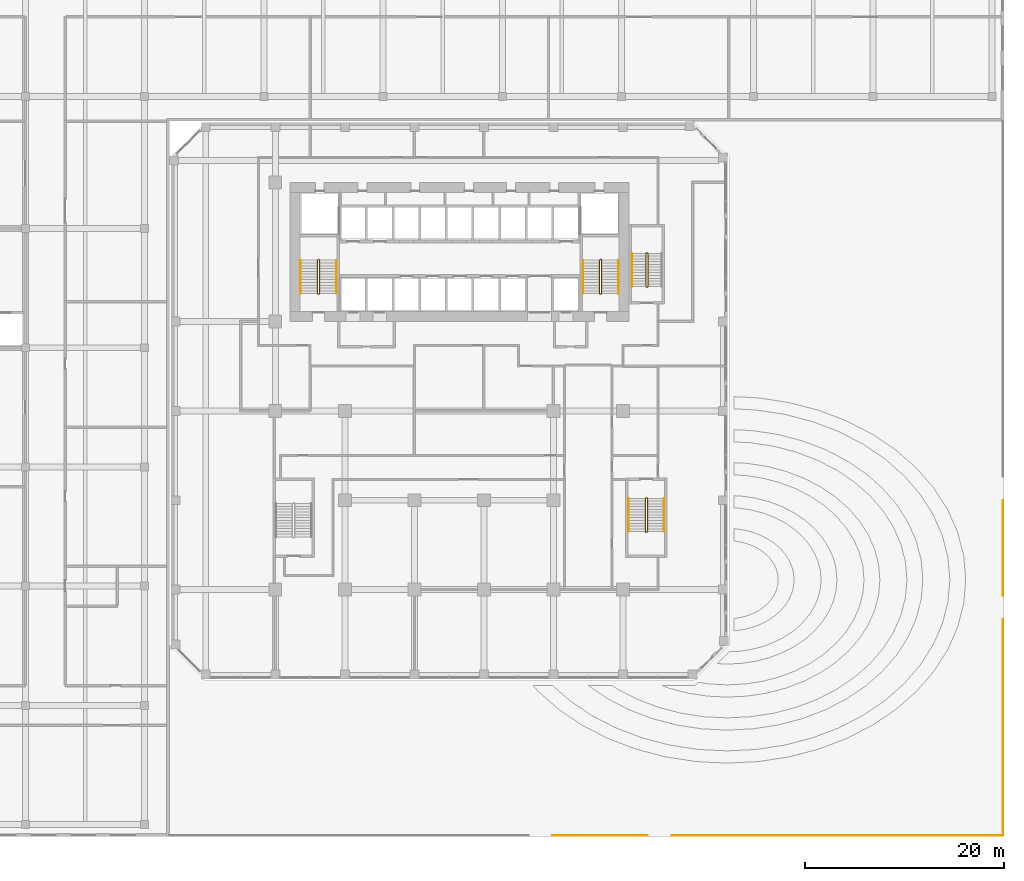
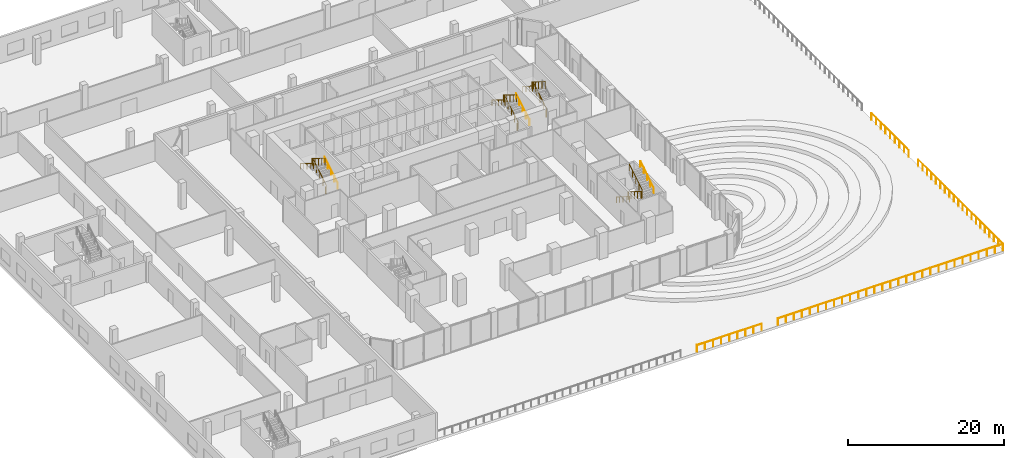
# One storey, part 34 of 38: 15 railings.
"""IFC4 building model written with IfcOpenShell, lengths in metres."""

import ifcopenshell
import ifcopenshell.guid

model = None  # the IFC model being written
_history = None  # IfcOwnerHistory: only IFC2X3 demands one
_inside = {}  # id of a spatial element -> (the spatial element, [elements in it])
_under = {}  # id of a project, library or spatial element -> (it, [spatial elements below it])
_declared = {}  # id of a project -> (the project, [libraries it declares])
_typed = {}  # id of a type object -> (the type object, [elements of that type])
_made_of = {}  # id of a material, layer set ... -> (it, [elements and type objects made of it])


def new_model(schema):
    """Start an empty IFC model of exactly this schema.

    Asked for "IFC4X3", IfcOpenShell would pick the latest addendum, in which some entities
    have other attributes; the version numbers below select the first issue.
    IFC2X3 requires an IfcOwnerHistory on every rooted entity: one is made here for all.
    """
    global model, _history
    if schema == "IFC4X3":
        model = ifcopenshell.file(schema_version=(4, 3, 0, 0))
    else:
        model = ifcopenshell.file(schema=schema)
    _inside.clear()
    _under.clear()
    _declared.clear()
    _typed.clear()
    _made_of.clear()
    _history = None
    if model.schema == "IFC2X3":
        org = make("IfcOrganization", Name="unknown")
        user = make(
            "IfcPersonAndOrganization",
            ThePerson=make("IfcPerson", FamilyName="unknown"),
            TheOrganization=org,
        )
        app = make(
            "IfcApplication",
            ApplicationDeveloper=org,
            Version="unknown",
            ApplicationFullName="unknown",
            ApplicationIdentifier="unknown",
        )
        _history = make(
            "IfcOwnerHistory",
            OwningUser=user,
            OwningApplication=app,
            ChangeAction="ADDED",
            CreationDate=0,
        )
    return model


def make(cls, **values):
    """One entity of the class cls with the attributes given. An attribute that is None is left unset."""
    return model.create_entity(
        cls, **{name: value for name, value in values.items() if value is not None}
    )


def rooted(cls, **values):
    """An entity with a GlobalId (a new one), such as an element, a storey or a relation."""
    return make(cls, GlobalId=ifcopenshell.guid.new(), OwnerHistory=_history, **values)


def si_unit(unit_type, name, prefix=None):
    """IfcSIUnit, for example si_unit("LENGTHUNIT", "METRE", prefix="MILLI")."""
    return make("IfcSIUnit", UnitType=unit_type, Prefix=prefix, Name=name)


def assignment(units):
    """IfcUnitAssignment: the units of a project."""
    return None if units is None else make("IfcUnitAssignment", Units=units)


def point(xyz):
    """IfcCartesianPoint."""
    return None if xyz is None else make("IfcCartesianPoint", Coordinates=xyz)


def direction(xyz):
    """IfcDirection."""
    return None if xyz is None else make("IfcDirection", DirectionRatios=xyz)


def frame(location, z_axis=None, x_axis=None):
    """IfcAxis2Placement3D, a coordinate frame: its origin and axes. An axis left out is left unset."""
    return make(
        "IfcAxis2Placement3D",
        Location=point(location),
        Axis=direction(z_axis),
        RefDirection=direction(x_axis),
    )


def frame_2d(location, x_axis=None):
    """IfcAxis2Placement2D, a coordinate frame in the plane: its origin and x axis."""
    return make(
        "IfcAxis2Placement2D", Location=point(location), RefDirection=direction(x_axis)
    )


def origin():
    """The frame at (0, 0, 0) with its axes left unset."""
    return frame((0.0, 0.0, 0.0))


def origin_2d():
    """The frame at (0, 0) in the plane with its x axis left unset."""
    return frame_2d((0.0, 0.0))


def place(relative_to, where):
    """IfcLocalPlacement: puts the frame where relative to a parent placement (None: the world)."""
    return make(
        "IfcLocalPlacement", PlacementRelTo=relative_to, RelativePlacement=where
    )


def context(
    kind, dimensions, precision=None, world=None, true_north=None, identifier=None
):
    """IfcGeometricRepresentationContext, for example the 3D "Model" context."""
    return make(
        "IfcGeometricRepresentationContext",
        ContextIdentifier=identifier,
        ContextType=kind,
        CoordinateSpaceDimension=dimensions,
        Precision=precision,
        WorldCoordinateSystem=world,
        TrueNorth=true_north,
    )


def subcontext(parent, identifier, kind, view, scale=None):
    """IfcGeometricRepresentationSubContext, for example "Body" below "Model"."""
    return make(
        "IfcGeometricRepresentationSubContext",
        ContextIdentifier=identifier,
        ContextType=kind,
        ParentContext=parent,
        TargetScale=scale,
        TargetView=view,
    )


def project(units=None, contexts=None):
    """IfcProject with its units and contexts."""
    return rooted(
        "IfcProject",
        Name="project",
        RepresentationContexts=contexts,
        UnitsInContext=assignment(units),
    )


def spatial(cls, under=None, at=None, **own):
    """A site, building, storey or space (cls), placed at a placement, below another one or the project."""
    s = rooted(cls, ObjectPlacement=at, **own)
    if under is not None:
        _under.setdefault(under.id(), (under, []))[1].append(s)
    return s


def profile(cls, at=None, kind="AREA", **sizes):
    """A parametric profile (cls). Its sizes go by their IFC names, for example OverallWidth=200.0."""
    return make(cls, ProfileType=kind, Position=at, **sizes)


def circle(**sizes):
    """IfcCircleProfileDef."""
    return profile("IfcCircleProfileDef", **sizes)


def extrude(swept, where, along, depth):
    """IfcExtrudedAreaSolid: the profile swept, set in the frame where, extruded along a direction by depth."""
    return make(
        "IfcExtrudedAreaSolid",
        SweptArea=swept,
        Position=where,
        ExtrudedDirection=direction(along),
        Depth=depth,
    )


def shape(context_of_items, identifier, shape_type, items):
    """IfcShapeRepresentation: the items that make up one representation, for example the "Body"."""
    return make(
        "IfcShapeRepresentation",
        ContextOfItems=context_of_items,
        RepresentationIdentifier=identifier,
        RepresentationType=shape_type,
        Items=items,
    )


def material(Name=None, Category=None):
    """IfcMaterial."""
    return make("IfcMaterial", Name=Name, Category=Category)


def made_of(thing, what):
    """Note that an element or type object is made of a material, layer set ...; save() writes the relation."""
    if what is not None:
        _made_of.setdefault(what.id(), (what, []))[1].append(thing)
    return thing


def type_object(cls, material=None, **own):
    """A type object (cls), such as IfcWallType, which elements share."""
    return made_of(rooted(cls, **own), material)


def element(
    cls,
    number,
    at=None,
    inside=None,
    cuts=None,
    type_object=None,
    material=None,
    context=None,
    identifier="Body",
    shape_type=None,
    held_by="IfcProductDefinitionShape",
    body=None,
    shapes=None,
    **own,
):
    """One element of the class cls, such as IfcWall. Its Tag is "e" and its number.

    at: its placement. inside: the storey or other place that contains it. cuts: it is an
    opening in that element (IfcRelVoidsElement). A single representation is given by context,
    identifier, shape_type and body (its items); several are given by shapes. held_by: the class
    of the entity that holds the representations. save() writes the other relations.
    """
    e = rooted(cls, Tag="e%d" % number, ObjectPlacement=at, **own)
    if body is not None:
        shapes = [shape(context, identifier, shape_type, body)]
    if shapes is not None:
        e.Representation = make(held_by, Representations=shapes)
    if inside is not None:
        _inside.setdefault(inside.id(), (inside, []))[1].append(e)
    if cuts is not None:
        rooted(
            "IfcRelVoidsElement", RelatingBuildingElement=cuts, RelatedOpeningElement=e
        )
    if type_object is not None:
        _typed.setdefault(type_object.id(), (type_object, []))[1].append(e)
    return made_of(e, material)


def aggregate(whole, parts):
    """IfcRelAggregates: a whole, such as a stair, and the parts it consists of."""
    return rooted("IfcRelAggregates", RelatingObject=whole, RelatedObjects=parts)


def save(model, path):
    """Write the relations noted so far, then the file.

    IfcRelAggregates (storeys below a building ...), IfcRelContainedInSpatialStructure (elements
    in a storey), IfcRelDefinesByType, IfcRelAssociatesMaterial and IfcRelDeclares: one each for
    every whole, place, type object, material and project.
    """
    for whole, parts in _under.values():
        aggregate(whole, parts)
    for where, things in _inside.values():
        rooted(
            "IfcRelContainedInSpatialStructure",
            RelatedElements=things,
            RelatingStructure=where,
        )
    for kind, things in _typed.values():
        rooted("IfcRelDefinesByType", RelatedObjects=things, RelatingType=kind)
    for what, things in _made_of.values():
        rooted("IfcRelAssociatesMaterial", RelatedObjects=things, RelatingMaterial=what)
    for by, libraries in _declared.values():
        rooted("IfcRelDeclares", RelatingContext=by, RelatedDefinitions=libraries)
    model.write(path)


model = new_model("IFC4")

# Units and contexts
model_context = context("Model", 3, precision=1e-05, world=origin(), true_north=direction((0.0, 1.0)))
body_context = subcontext(model_context, "Body", "Model", "MODEL_VIEW")
ifc_project = project(units=[si_unit("LENGTHUNIT", "METRE"), si_unit("AREAUNIT", "SQUARE_METRE"), si_unit("VOLUMEUNIT", "CUBIC_METRE"), si_unit("PLANEANGLEUNIT", "RADIAN"), si_unit("MASSUNIT", "GRAM", prefix="KILO")], contexts=[model_context])

# Site, building, storey
site_placement = place(None, origin())
site = spatial("IfcSite", under=ifc_project, at=site_placement, CompositionType="ELEMENT")
building_placement = place(site_placement, origin())
building = spatial("IfcBuilding", under=site, at=building_placement, Name="Kilnfold Tower and Market Hall", CompositionType="ELEMENT")
storey_placement = place(building_placement, frame((0.0, 0.0, 9.0)))
storey = spatial("IfcBuildingStorey", under=building, at=storey_placement, Name="L01", CompositionType="ELEMENT", Elevation=9.0)

# Railings
ifc_material_1 = material(Name="Stainless steel 316", Category="steel")
railing_type_1 = type_object("IfcRailingType", Name="CORE STAIR GUARD 1100", PredefinedType="GUARDRAIL", material=ifc_material_1)
railing_1_placement = place(storey_placement, frame((-13.199951171875, 10.75, 0.0)))
element("IfcRailing", 1, at=railing_1_placement, inside=storey, type_object=railing_type_1, Name="L01 ST1 stair guard 1", PredefinedType="GUARDRAIL", context=body_context, shape_type="SweptSolid", body=[
    extrude(circle(Radius=0.02392578125, at=origin_2d()), frame((0.0, 0.0, 1.076171875), z_axis=(1.0, 0.0, 0.0), x_axis=(0.0, 1.0, 0.0)), (0.0, 0.0, 1.0), 0.099853515625),
    extrude(circle(Radius=0.02392578125, at=origin_2d()), frame((0.099853515625, 0.0, 1.076171875), z_axis=(0.267629722418, 0.267629722418, 0.925607186314), x_axis=(-0.707106781187, 0.707106781187, 0.0)), (0.0, 0.0, 1.0), 0.18701171875),
    extrude(circle(Radius=0.02392578125, at=origin_2d()), frame((0.14990234375, 0.050048828125, 1.2490234375), z_axis=(0.0, 0.850606129759, 0.525803396734), x_axis=(-1.0, 0.0, 0.0)), (0.0, 0.0, 1.0), 3.949951171875),
    extrude(circle(Radius=0.02392578125, at=origin_2d()), frame((0.14990234375, 3.409912109375, 3.326171875), z_axis=(-0.707106781187, 0.707106781187, 0.0), x_axis=(-0.707106781187, -0.707106781187, 0.0)), (0.0, 0.0, 1.0), 0.07080078125),
    extrude(circle(Radius=0.02392578125, at=origin_2d()), frame((0.099853515625, 3.4599609375, 3.326171875), z_axis=(-1.0, 0.0, 0.0), x_axis=(0.0, -1.0, 0.0)), (0.0, 0.0, 1.0), 0.099853515625),
    extrude(circle(Radius=0.02392578125, at=origin_2d()), frame((0.0, 3.4599609375, 3.326171875), z_axis=(-0.267629722418, -0.267629722418, 0.925607186314), x_axis=(0.707106781187, -0.707106781187, 0.0)), (0.0, 0.0, 1.0), 0.18701171875),
    extrude(circle(Radius=0.02392578125, at=origin_2d()), frame((-0.050048828125, 3.409912109375, 3.4990234375), z_axis=(0.0, -0.850606129759, 0.525803396734), x_axis=(1.0, 0.0, 0.0)), (0.0, 0.0, 1.0), 3.949951171875),
    extrude(circle(Radius=0.02099609375, at=origin_2d()), origin(), (0.0, 0.0, 1.0), 1.052001953125),
    extrude(circle(Radius=0.02099609375, at=origin_2d()), frame((0.099853515625, 0.0, 0.0)), (0.0, 0.0, 1.0), 1.052001953125),
    extrude(circle(Radius=0.02099609375, at=origin_2d()), frame((0.14990234375, 0.050048828125, 0.173095703125)), (0.0, 0.0, 1.0), 1.052001953125),
    extrude(circle(Radius=0.02099609375, at=origin_2d()), frame((0.14990234375, 0.89013671875, 0.6923828125)), (0.0, 0.0, 1.0), 1.052001953125),
    extrude(circle(Radius=0.02099609375, at=origin_2d()), frame((0.14990234375, 1.72998046875, 1.21142578125)), (0.0, 0.0, 1.0), 1.052001953125),
    extrude(circle(Radius=0.02099609375, at=origin_2d()), frame((0.14990234375, 2.56982421875, 1.730712890625)), (0.0, 0.0, 1.0), 1.052001953125),
    extrude(circle(Radius=0.02099609375, at=origin_2d()), frame((0.14990234375, 3.409912109375, 2.25)), (0.0, 0.0, 1.0), 1.052001953125),
    extrude(circle(Radius=0.02099609375, at=origin_2d()), frame((0.099853515625, 3.4599609375, 2.25)), (0.0, 0.0, 1.0), 1.052001953125),
    extrude(circle(Radius=0.02099609375, at=origin_2d()), frame((0.0, 3.4599609375, 2.25)), (0.0, 0.0, 1.0), 1.052001953125),
    extrude(circle(Radius=0.02099609375, at=origin_2d()), frame((-0.050048828125, 3.409912109375, 2.423095703125)), (0.0, 0.0, 1.0), 1.052001953125),
    extrude(circle(Radius=0.02099609375, at=origin_2d()), frame((-0.050048828125, 2.56982421875, 2.9423828125)), (0.0, 0.0, 1.0), 1.052001953125),
    extrude(circle(Radius=0.02099609375, at=origin_2d()), frame((-0.050048828125, 1.72998046875, 3.46142578125)), (0.0, 0.0, 1.0), 1.052001953125),
    extrude(circle(Radius=0.02099609375, at=origin_2d()), frame((-0.050048828125, 0.89013671875, 3.980712890625)), (0.0, 0.0, 1.0), 1.052001953125),
    extrude(circle(Radius=0.02099609375, at=origin_2d()), frame((-0.050048828125, 0.050048828125, 4.5)), (0.0, 0.0, 1.0), 1.052001953125),
])
railing_2_placement = place(storey_placement, frame((15.199951171875, 10.75, 0.0)))
element("IfcRailing", 2, at=railing_2_placement, inside=storey, type_object=railing_type_1, Name="L01 ST2 stair guard 1", PredefinedType="GUARDRAIL", context=body_context, shape_type="SweptSolid", body=[
    extrude(circle(Radius=0.02392578125, at=origin_2d()), frame((0.0, 0.0, 1.076171875), z_axis=(1.0, 0.0, 0.0), x_axis=(0.0, 1.0, 0.0)), (0.0, 0.0, 1.0), 0.10009765625),
    extrude(circle(Radius=0.02392578125, at=origin_2d()), frame((0.10009765625, 0.0, 1.076171875), z_axis=(0.267629722418, 0.267629722418, 0.925607186314), x_axis=(-0.707106781187, 0.707106781187, 0.0)), (0.0, 0.0, 1.0), 0.18701171875),
    extrude(circle(Radius=0.02392578125, at=origin_2d()), frame((0.150146484375, 0.050048828125, 1.2490234375), z_axis=(0.0, 0.850606129759, 0.525803396734), x_axis=(-1.0, 0.0, 0.0)), (0.0, 0.0, 1.0), 3.949951171875),
    extrude(circle(Radius=0.02392578125, at=origin_2d()), frame((0.150146484375, 3.409912109375, 3.326171875), z_axis=(-0.707106781187, 0.707106781187, 0.0), x_axis=(-0.707106781187, -0.707106781187, 0.0)), (0.0, 0.0, 1.0), 0.07080078125),
    extrude(circle(Radius=0.02392578125, at=origin_2d()), frame((0.10009765625, 3.4599609375, 3.326171875), z_axis=(-1.0, 0.0, 0.0), x_axis=(0.0, -1.0, 0.0)), (0.0, 0.0, 1.0), 0.10009765625),
    extrude(circle(Radius=0.02392578125, at=origin_2d()), frame((0.0, 3.4599609375, 3.326171875), z_axis=(-0.267629722418, -0.267629722418, 0.925607186314), x_axis=(0.707106781187, -0.707106781187, 0.0)), (0.0, 0.0, 1.0), 0.18701171875),
    extrude(circle(Radius=0.02392578125, at=origin_2d()), frame((-0.050048828125, 3.409912109375, 3.4990234375), z_axis=(0.0, -0.850606129759, 0.525803396734), x_axis=(1.0, 0.0, 0.0)), (0.0, 0.0, 1.0), 3.949951171875),
    extrude(circle(Radius=0.02099609375, at=origin_2d()), origin(), (0.0, 0.0, 1.0), 1.052001953125),
    extrude(circle(Radius=0.02099609375, at=origin_2d()), frame((0.10009765625, 0.0, 0.0)), (0.0, 0.0, 1.0), 1.052001953125),
    extrude(circle(Radius=0.02099609375, at=origin_2d()), frame((0.150146484375, 0.050048828125, 0.173095703125)), (0.0, 0.0, 1.0), 1.052001953125),
    extrude(circle(Radius=0.02099609375, at=origin_2d()), frame((0.150146484375, 0.89013671875, 0.6923828125)), (0.0, 0.0, 1.0), 1.052001953125),
    extrude(circle(Radius=0.02099609375, at=origin_2d()), frame((0.150146484375, 1.72998046875, 1.21142578125)), (0.0, 0.0, 1.0), 1.052001953125),
    extrude(circle(Radius=0.02099609375, at=origin_2d()), frame((0.150146484375, 2.56982421875, 1.730712890625)), (0.0, 0.0, 1.0), 1.052001953125),
    extrude(circle(Radius=0.02099609375, at=origin_2d()), frame((0.150146484375, 3.409912109375, 2.25)), (0.0, 0.0, 1.0), 1.052001953125),
    extrude(circle(Radius=0.02099609375, at=origin_2d()), frame((0.10009765625, 3.4599609375, 2.25)), (0.0, 0.0, 1.0), 1.052001953125),
    extrude(circle(Radius=0.02099609375, at=origin_2d()), frame((0.0, 3.4599609375, 2.25)), (0.0, 0.0, 1.0), 1.052001953125),
    extrude(circle(Radius=0.02099609375, at=origin_2d()), frame((-0.050048828125, 3.409912109375, 2.423095703125)), (0.0, 0.0, 1.0), 1.052001953125),
    extrude(circle(Radius=0.02099609375, at=origin_2d()), frame((-0.050048828125, 2.56982421875, 2.9423828125)), (0.0, 0.0, 1.0), 1.052001953125),
    extrude(circle(Radius=0.02099609375, at=origin_2d()), frame((-0.050048828125, 1.72998046875, 3.46142578125)), (0.0, 0.0, 1.0), 1.052001953125),
    extrude(circle(Radius=0.02099609375, at=origin_2d()), frame((-0.050048828125, 0.89013671875, 3.980712890625)), (0.0, 0.0, 1.0), 1.052001953125),
    extrude(circle(Radius=0.02099609375, at=origin_2d()), frame((-0.050048828125, 0.050048828125, 4.5)), (0.0, 0.0, 1.0), 1.052001953125),
])
railing_3_placement = place(storey_placement, frame((19.89990234375, -9.75, 0.0)))
element("IfcRailing", 3, at=railing_3_placement, inside=storey, type_object=railing_type_1, Name="L01 ST4 stair guard 1", PredefinedType="GUARDRAIL", context=body_context, shape_type="SweptSolid", body=[
    extrude(circle(Radius=0.02392578125, at=origin_2d()), frame((0.0, 0.0, 1.076171875), z_axis=(-1.0, 0.0, 0.0), x_axis=(0.0, -1.0, 0.0)), (0.0, 0.0, 1.0), 0.099853515625),
    extrude(circle(Radius=0.02392578125, at=origin_2d()), frame((-0.099853515625, 0.0, 1.076171875), z_axis=(-0.267629722418, -0.267629722418, 0.925607186314), x_axis=(0.707106781187, -0.707106781187, 0.0)), (0.0, 0.0, 1.0), 0.18701171875),
    extrude(circle(Radius=0.02392578125, at=origin_2d()), frame((-0.14990234375, -0.050048828125, 1.2490234375), z_axis=(0.0, -0.850606129759, 0.525803396734), x_axis=(1.0, 0.0, 0.0)), (0.0, 0.0, 1.0), 3.949951171875),
    extrude(circle(Radius=0.02392578125, at=origin_2d()), frame((-0.14990234375, -3.409912109375, 3.326171875), z_axis=(0.707106781187, -0.707106781187, 0.0), x_axis=(0.707106781187, 0.707106781187, 0.0)), (0.0, 0.0, 1.0), 0.07080078125),
    extrude(circle(Radius=0.02392578125, at=origin_2d()), frame((-0.099853515625, -3.4599609375, 3.326171875), z_axis=(1.0, 0.0, 0.0), x_axis=(0.0, 1.0, 0.0)), (0.0, 0.0, 1.0), 0.099853515625),
    extrude(circle(Radius=0.02392578125, at=origin_2d()), frame((0.0, -3.4599609375, 3.326171875), z_axis=(0.267629722418, 0.267629722418, 0.925607186314), x_axis=(-0.707106781187, 0.707106781187, 0.0)), (0.0, 0.0, 1.0), 0.18701171875),
    extrude(circle(Radius=0.02392578125, at=origin_2d()), frame((0.050048828125, -3.409912109375, 3.4990234375), z_axis=(0.0, 0.850606129759, 0.525803396734), x_axis=(-1.0, 0.0, 0.0)), (0.0, 0.0, 1.0), 3.949951171875),
    extrude(circle(Radius=0.02099609375, at=origin_2d()), origin(), (0.0, 0.0, 1.0), 1.052001953125),
    extrude(circle(Radius=0.02099609375, at=origin_2d()), frame((-0.099853515625, 0.0, 0.0)), (0.0, 0.0, 1.0), 1.052001953125),
    extrude(circle(Radius=0.02099609375, at=origin_2d()), frame((-0.14990234375, -0.050048828125, 0.173095703125)), (0.0, 0.0, 1.0), 1.052001953125),
    extrude(circle(Radius=0.02099609375, at=origin_2d()), frame((-0.14990234375, -0.89013671875, 0.6923828125)), (0.0, 0.0, 1.0), 1.052001953125),
    extrude(circle(Radius=0.02099609375, at=origin_2d()), frame((-0.14990234375, -1.72998046875, 1.21142578125)), (0.0, 0.0, 1.0), 1.052001953125),
    extrude(circle(Radius=0.02099609375, at=origin_2d()), frame((-0.14990234375, -2.56982421875, 1.730712890625)), (0.0, 0.0, 1.0), 1.052001953125),
    extrude(circle(Radius=0.02099609375, at=origin_2d()), frame((-0.14990234375, -3.409912109375, 2.25)), (0.0, 0.0, 1.0), 1.052001953125),
    extrude(circle(Radius=0.02099609375, at=origin_2d()), frame((-0.099853515625, -3.4599609375, 2.25)), (0.0, 0.0, 1.0), 1.052001953125),
    extrude(circle(Radius=0.02099609375, at=origin_2d()), frame((0.0, -3.4599609375, 2.25)), (0.0, 0.0, 1.0), 1.052001953125),
    extrude(circle(Radius=0.02099609375, at=origin_2d()), frame((0.050048828125, -3.409912109375, 2.423095703125)), (0.0, 0.0, 1.0), 1.052001953125),
    extrude(circle(Radius=0.02099609375, at=origin_2d()), frame((0.050048828125, -2.56982421875, 2.9423828125)), (0.0, 0.0, 1.0), 1.052001953125),
    extrude(circle(Radius=0.02099609375, at=origin_2d()), frame((0.050048828125, -1.72998046875, 3.46142578125)), (0.0, 0.0, 1.0), 1.052001953125),
    extrude(circle(Radius=0.02099609375, at=origin_2d()), frame((0.050048828125, -0.89013671875, 3.980712890625)), (0.0, 0.0, 1.0), 1.052001953125),
    extrude(circle(Radius=0.02099609375, at=origin_2d()), frame((0.050048828125, -0.050048828125, 4.5)), (0.0, 0.0, 1.0), 1.052001953125),
])
railing_4_placement = place(storey_placement, frame((19.85009765625, 11.449951171875, 0.0)))
element("IfcRailing", 4, at=railing_4_placement, inside=storey, type_object=railing_type_1, Name="L01 ST5 stair guard 1", PredefinedType="GUARDRAIL", context=body_context, shape_type="SweptSolid", body=[
    extrude(circle(Radius=0.02392578125, at=origin_2d()), frame((0.0, 0.0, 1.076171875), z_axis=(1.0, 0.0, 0.0), x_axis=(0.0, 1.0, 0.0)), (0.0, 0.0, 1.0), 0.099853515625),
    extrude(circle(Radius=0.02392578125, at=origin_2d()), frame((0.099853515625, 0.0, 1.076171875), z_axis=(0.267629722418, 0.267629722418, 0.925607186314), x_axis=(-0.707106781187, 0.707106781187, 0.0)), (0.0, 0.0, 1.0), 0.18701171875),
    extrude(circle(Radius=0.02392578125, at=origin_2d()), frame((0.14990234375, 0.050048828125, 1.2490234375), z_axis=(0.0, 0.850623216509, 0.525775754039), x_axis=(-1.0, 0.0, 0.0)), (0.0, 0.0, 1.0), 3.9501953125),
    extrude(circle(Radius=0.02392578125, at=origin_2d()), frame((0.14990234375, 3.41015625, 3.326171875), z_axis=(-0.708833529934, 0.705375805398, 0.0), x_axis=(-0.705375805398, -0.708833529934, 0.0)), (0.0, 0.0, 1.0), 0.070556640625),
    extrude(circle(Radius=0.02392578125, at=origin_2d()), frame((0.099853515625, 3.4599609375, 3.326171875), z_axis=(-1.0, 0.0, 0.0), x_axis=(0.0, -1.0, 0.0)), (0.0, 0.0, 1.0), 0.099853515625),
    extrude(circle(Radius=0.02392578125, at=origin_2d()), frame((0.0, 3.4599609375, 3.326171875), z_axis=(-0.267723051232, -0.266417085129, 0.925929967433), x_axis=(0.705375805398, -0.708833529934, 0.0)), (0.0, 0.0, 1.0), 0.18701171875),
    extrude(circle(Radius=0.02392578125, at=origin_2d()), frame((-0.050048828125, 3.41015625, 3.4990234375), z_axis=(0.0, -0.850623216509, 0.525775754039), x_axis=(1.0, 0.0, 0.0)), (0.0, 0.0, 1.0), 3.9501953125),
    extrude(circle(Radius=0.02099609375, at=origin_2d()), origin(), (0.0, 0.0, 1.0), 1.052001953125),
    extrude(circle(Radius=0.02099609375, at=origin_2d()), frame((0.099853515625, 0.0, 0.0)), (0.0, 0.0, 1.0), 1.052001953125),
    extrude(circle(Radius=0.02099609375, at=origin_2d()), frame((0.14990234375, 0.050048828125, 0.173095703125)), (0.0, 0.0, 1.0), 1.052001953125),
    extrude(circle(Radius=0.02099609375, at=origin_2d()), frame((0.14990234375, 0.89013671875, 0.6923828125)), (0.0, 0.0, 1.0), 1.052001953125),
    extrude(circle(Radius=0.02099609375, at=origin_2d()), frame((0.14990234375, 1.72998046875, 1.21142578125)), (0.0, 0.0, 1.0), 1.052001953125),
    extrude(circle(Radius=0.02099609375, at=origin_2d()), frame((0.14990234375, 2.570068359375, 1.730712890625)), (0.0, 0.0, 1.0), 1.052001953125),
    extrude(circle(Radius=0.02099609375, at=origin_2d()), frame((0.14990234375, 3.41015625, 2.25)), (0.0, 0.0, 1.0), 1.052001953125),
    extrude(circle(Radius=0.02099609375, at=origin_2d()), frame((0.099853515625, 3.4599609375, 2.25)), (0.0, 0.0, 1.0), 1.052001953125),
    extrude(circle(Radius=0.02099609375, at=origin_2d()), frame((0.0, 3.4599609375, 2.25)), (0.0, 0.0, 1.0), 1.052001953125),
    extrude(circle(Radius=0.02099609375, at=origin_2d()), frame((-0.050048828125, 3.41015625, 2.423095703125)), (0.0, 0.0, 1.0), 1.052001953125),
    extrude(circle(Radius=0.02099609375, at=origin_2d()), frame((-0.050048828125, 2.570068359375, 2.9423828125)), (0.0, 0.0, 1.0), 1.052001953125),
    extrude(circle(Radius=0.02099609375, at=origin_2d()), frame((-0.050048828125, 1.72998046875, 3.46142578125)), (0.0, 0.0, 1.0), 1.052001953125),
    extrude(circle(Radius=0.02099609375, at=origin_2d()), frame((-0.050048828125, 0.89013671875, 3.980712890625)), (0.0, 0.0, 1.0), 1.052001953125),
    extrude(circle(Radius=0.02099609375, at=origin_2d()), frame((-0.050048828125, 0.050048828125, 4.5)), (0.0, 0.0, 1.0), 1.052001953125),
])
ifc_material_2 = material(Name="Stainless steel 316", Category="steel")
railing_type_2 = type_object("IfcRailingType", Name="CORE STAIR HANDRAIL 900", PredefinedType="HANDRAIL", material=ifc_material_2)
railing_5_placement = place(storey_placement, frame((-11.35009765625, 10.800048828125, 0.173095703125)))
element("IfcRailing", 5, at=railing_5_placement, inside=storey, type_object=railing_type_2, Name="L01 ST1 stair handrail 1", PredefinedType="HANDRAIL", context=body_context, shape_type="SweptSolid", body=[
    extrude(circle(Radius=0.02392578125, at=origin_2d()), frame((0.0, 0.0, 0.8759765625), z_axis=(0.0, 0.850606129759, 0.525803396734), x_axis=(-1.0, 0.0, 0.0)), (0.0, 0.0, 1.0), 3.949951171875),
    extrude(circle(Radius=0.02099609375, at=origin_2d()), origin(), (0.0, 0.0, 1.0), 0.851806640625),
    extrude(circle(Radius=0.02099609375, at=origin_2d()), frame((0.0, 0.83984375, 0.519287109375)), (0.0, 0.0, 1.0), 0.851806640625),
    extrude(circle(Radius=0.02099609375, at=origin_2d()), frame((0.0, 1.679931640625, 1.03857421875)), (0.0, 0.0, 1.0), 0.851806640625),
    extrude(circle(Radius=0.02099609375, at=origin_2d()), frame((0.0, 2.52001953125, 1.5576171875)), (0.0, 0.0, 1.0), 0.851806640625),
    extrude(circle(Radius=0.02099609375, at=origin_2d()), frame((0.0, 3.35986328125, 2.076904296875)), (0.0, 0.0, 1.0), 0.851806640625),
])
railing_6_placement = place(storey_placement, frame((-14.949951171875, 14.159912109375, 2.423095703125)))
element("IfcRailing", 6, at=railing_6_placement, inside=storey, type_object=railing_type_2, Name="L01 ST1 stair handrail 2", PredefinedType="HANDRAIL", context=body_context, shape_type="SweptSolid", body=[
    extrude(circle(Radius=0.02392578125, at=origin_2d()), frame((0.0, 0.0, 0.8759765625), z_axis=(0.0, -0.850606129759, 0.525803396734), x_axis=(1.0, 0.0, 0.0)), (0.0, 0.0, 1.0), 3.949951171875),
    extrude(circle(Radius=0.02099609375, at=origin_2d()), origin(), (0.0, 0.0, 1.0), 0.851806640625),
    extrude(circle(Radius=0.02099609375, at=origin_2d()), frame((0.0, -0.83984375, 0.519287109375)), (0.0, 0.0, 1.0), 0.851806640625),
    extrude(circle(Radius=0.02099609375, at=origin_2d()), frame((0.0, -1.679931640625, 1.03857421875)), (0.0, 0.0, 1.0), 0.851806640625),
    extrude(circle(Radius=0.02099609375, at=origin_2d()), frame((0.0, -2.52001953125, 1.5576171875)), (0.0, 0.0, 1.0), 0.851806640625),
    extrude(circle(Radius=0.02099609375, at=origin_2d()), frame((0.0, -3.35986328125, 2.076904296875)), (0.0, 0.0, 1.0), 0.851806640625),
])
railing_7_placement = place(storey_placement, frame((17.050048828125, 10.800048828125, 0.173095703125)))
element("IfcRailing", 7, at=railing_7_placement, inside=storey, type_object=railing_type_2, Name="L01 ST2 stair handrail 1", PredefinedType="HANDRAIL", context=body_context, shape_type="SweptSolid", body=[
    extrude(circle(Radius=0.02392578125, at=origin_2d()), frame((0.0, 0.0, 0.8759765625), z_axis=(0.0, 0.850606129759, 0.525803396734), x_axis=(-1.0, 0.0, 0.0)), (0.0, 0.0, 1.0), 3.949951171875),
    extrude(circle(Radius=0.02099609375, at=origin_2d()), origin(), (0.0, 0.0, 1.0), 0.851806640625),
    extrude(circle(Radius=0.02099609375, at=origin_2d()), frame((0.0, 0.83984375, 0.519287109375)), (0.0, 0.0, 1.0), 0.851806640625),
    extrude(circle(Radius=0.02099609375, at=origin_2d()), frame((0.0, 1.679931640625, 1.03857421875)), (0.0, 0.0, 1.0), 0.851806640625),
    extrude(circle(Radius=0.02099609375, at=origin_2d()), frame((0.0, 2.52001953125, 1.5576171875)), (0.0, 0.0, 1.0), 0.851806640625),
    extrude(circle(Radius=0.02099609375, at=origin_2d()), frame((0.0, 3.35986328125, 2.076904296875)), (0.0, 0.0, 1.0), 0.851806640625),
])
for number, where, name in (
    (8, (13.449951171875, 14.159912109375, 2.423095703125), "L01 ST2 stair handrail 2"),
    (9, (18.050048828125, -9.800048828125, 0.173095703125), "L01 ST4 stair handrail 1"),
):
    element("IfcRailing", number, at=place(storey_placement, frame(where)), inside=storey, type_object=railing_type_2, Name=name, PredefinedType="HANDRAIL", context=body_context, shape_type="SweptSolid", body=[
        extrude(circle(Radius=0.02392578125, at=origin_2d()), frame((0.0, 0.0, 0.8759765625), z_axis=(0.0, -0.850606129759, 0.525803396734), x_axis=(1.0, 0.0, 0.0)), (0.0, 0.0, 1.0), 3.949951171875),
        extrude(circle(Radius=0.02099609375, at=origin_2d()), origin(), (0.0, 0.0, 1.0), 0.851806640625),
        extrude(circle(Radius=0.02099609375, at=origin_2d()), frame((0.0, -0.83984375, 0.519287109375)), (0.0, 0.0, 1.0), 0.851806640625),
        extrude(circle(Radius=0.02099609375, at=origin_2d()), frame((0.0, -1.679931640625, 1.03857421875)), (0.0, 0.0, 1.0), 0.851806640625),
        extrude(circle(Radius=0.02099609375, at=origin_2d()), frame((0.0, -2.52001953125, 1.5576171875)), (0.0, 0.0, 1.0), 0.851806640625),
        extrude(circle(Radius=0.02099609375, at=origin_2d()), frame((0.0, -3.35986328125, 2.076904296875)), (0.0, 0.0, 1.0), 0.851806640625),
    ])
railing_8_placement = place(storey_placement, frame((21.64990234375, -13.159912109375, 2.423095703125)))
element("IfcRailing", 10, at=railing_8_placement, inside=storey, type_object=railing_type_2, Name="L01 ST4 stair handrail 2", PredefinedType="HANDRAIL", context=body_context, shape_type="SweptSolid", body=[
    extrude(circle(Radius=0.02392578125, at=origin_2d()), frame((0.0, 0.0, 0.8759765625), z_axis=(0.0, 0.850606129759, 0.525803396734), x_axis=(-1.0, 0.0, 0.0)), (0.0, 0.0, 1.0), 3.949951171875),
    extrude(circle(Radius=0.02099609375, at=origin_2d()), origin(), (0.0, 0.0, 1.0), 0.851806640625),
    extrude(circle(Radius=0.02099609375, at=origin_2d()), frame((0.0, 0.83984375, 0.519287109375)), (0.0, 0.0, 1.0), 0.851806640625),
    extrude(circle(Radius=0.02099609375, at=origin_2d()), frame((0.0, 1.679931640625, 1.03857421875)), (0.0, 0.0, 1.0), 0.851806640625),
    extrude(circle(Radius=0.02099609375, at=origin_2d()), frame((0.0, 2.52001953125, 1.5576171875)), (0.0, 0.0, 1.0), 0.851806640625),
    extrude(circle(Radius=0.02099609375, at=origin_2d()), frame((0.0, 3.35986328125, 2.076904296875)), (0.0, 0.0, 1.0), 0.851806640625),
])
railing_9_placement = place(storey_placement, frame((18.39990234375, 14.860107421875, 2.423095703125)))
element("IfcRailing", 11, at=railing_9_placement, inside=storey, type_object=railing_type_2, Name="L01 ST5 stair handrail 2", PredefinedType="HANDRAIL", context=body_context, shape_type="SweptSolid", body=[
    extrude(circle(Radius=0.02392578125, at=origin_2d()), frame((0.0, 0.0, 0.8759765625), z_axis=(0.0, -0.850623216509, 0.525775754039), x_axis=(1.0, 0.0, 0.0)), (0.0, 0.0, 1.0), 3.9501953125),
    extrude(circle(Radius=0.02099609375, at=origin_2d()), origin(), (0.0, 0.0, 1.0), 0.851806640625),
    extrude(circle(Radius=0.02099609375, at=origin_2d()), frame((0.0, -0.840087890625, 0.519287109375)), (0.0, 0.0, 1.0), 0.851806640625),
    extrude(circle(Radius=0.02099609375, at=origin_2d()), frame((0.0, -1.68017578125, 1.03857421875)), (0.0, 0.0, 1.0), 0.851806640625),
    extrude(circle(Radius=0.02099609375, at=origin_2d()), frame((0.0, -2.52001953125, 1.5576171875)), (0.0, 0.0, 1.0), 0.851806640625),
    extrude(circle(Radius=0.02099609375, at=origin_2d()), frame((0.0, -3.360107421875, 2.076904296875)), (0.0, 0.0, 1.0), 0.851806640625),
])
ifc_material_3 = material(Name="Stainless steel 316", Category="steel")
railing_type_3 = type_object("IfcRailingType", Name="DECK GUARD 1100", PredefinedType="GUARDRAIL", material=ifc_material_3)
railing_10_placement = place(storey_placement, frame((10.409912109375, -43.75, 0.0)))
element("IfcRailing", 12, at=railing_10_placement, inside=storey, type_object=railing_type_3, Name="Garden deck guard south 2", PredefinedType="GUARDRAIL", context=body_context, shape_type="SweptSolid", body=[
    extrude(circle(Radius=0.02392578125, at=origin_2d()), frame((0.0, 0.0, 1.076171875), z_axis=(1.0, 0.0, 0.0), x_axis=(0.0, 1.0, 0.0)), (0.0, 0.0, 1.0), 9.580078125),
    extrude(circle(Radius=0.02099609375, at=origin_2d()), origin(), (0.0, 0.0, 1.0), 1.052001953125),
    extrude(circle(Radius=0.02099609375, at=origin_2d()), frame((1.197509765625, 0.0, 0.0)), (0.0, 0.0, 1.0), 1.052001953125),
    extrude(circle(Radius=0.02099609375, at=origin_2d()), frame((2.39501953125, 0.0, 0.0)), (0.0, 0.0, 1.0), 1.052001953125),
    extrude(circle(Radius=0.02099609375, at=origin_2d()), frame((3.592529296875, 0.0, 0.0)), (0.0, 0.0, 1.0), 1.052001953125),
    extrude(circle(Radius=0.02099609375, at=origin_2d()), frame((4.7900390625, 0.0, 0.0)), (0.0, 0.0, 1.0), 1.052001953125),
    extrude(circle(Radius=0.02099609375, at=origin_2d()), frame((5.987548828125, 0.0, 0.0)), (0.0, 0.0, 1.0), 1.052001953125),
    extrude(circle(Radius=0.02099609375, at=origin_2d()), frame((7.18505859375, 0.0, 0.0)), (0.0, 0.0, 1.0), 1.052001953125),
    extrude(circle(Radius=0.02099609375, at=origin_2d()), frame((8.382568359375, 0.0, 0.0)), (0.0, 0.0, 1.0), 1.052001953125),
    extrude(circle(Radius=0.02099609375, at=origin_2d()), frame((9.580078125, 0.0, 0.0)), (0.0, 0.0, 1.0), 1.052001953125),
])
railing_11_placement = place(storey_placement, frame((22.409912109375, -43.75, 0.0)))
element("IfcRailing", 13, at=railing_11_placement, inside=storey, type_object=railing_type_3, Name="Garden deck guard south 3", PredefinedType="GUARDRAIL", context=body_context, shape_type="SweptSolid", body=[
    extrude(circle(Radius=0.02392578125, at=origin_2d()), frame((0.0, 0.0, 1.076171875), z_axis=(1.0, 0.0, 0.0), x_axis=(0.0, 1.0, 0.0)), (0.0, 0.0, 1.0), 33.340087890625),
    extrude(circle(Radius=0.02099609375, at=origin_2d()), origin(), (0.0, 0.0, 1.0), 1.052001953125),
    extrude(circle(Radius=0.02099609375, at=origin_2d()), frame((1.190673828125, 0.0, 0.0)), (0.0, 0.0, 1.0), 1.052001953125),
    extrude(circle(Radius=0.02099609375, at=origin_2d()), frame((2.38134765625, 0.0, 0.0)), (0.0, 0.0, 1.0), 1.052001953125),
    extrude(circle(Radius=0.02099609375, at=origin_2d()), frame((3.572265625, 0.0, 0.0)), (0.0, 0.0, 1.0), 1.052001953125),
    extrude(circle(Radius=0.02099609375, at=origin_2d()), frame((4.762939453125, 0.0, 0.0)), (0.0, 0.0, 1.0), 1.052001953125),
    extrude(circle(Radius=0.02099609375, at=origin_2d()), frame((5.95361328125, 0.0, 0.0)), (0.0, 0.0, 1.0), 1.052001953125),
    extrude(circle(Radius=0.02099609375, at=origin_2d()), frame((7.144287109375, 0.0, 0.0)), (0.0, 0.0, 1.0), 1.052001953125),
    extrude(circle(Radius=0.02099609375, at=origin_2d()), frame((8.3349609375, 0.0, 0.0)), (0.0, 0.0, 1.0), 1.052001953125),
    extrude(circle(Radius=0.02099609375, at=origin_2d()), frame((9.525634765625, 0.0, 0.0)), (0.0, 0.0, 1.0), 1.052001953125),
    extrude(circle(Radius=0.02099609375, at=origin_2d()), frame((10.716552734375, 0.0, 0.0)), (0.0, 0.0, 1.0), 1.052001953125),
    extrude(circle(Radius=0.02099609375, at=origin_2d()), frame((11.9072265625, 0.0, 0.0)), (0.0, 0.0, 1.0), 1.052001953125),
    extrude(circle(Radius=0.02099609375, at=origin_2d()), frame((13.097900390625, 0.0, 0.0)), (0.0, 0.0, 1.0), 1.052001953125),
    extrude(circle(Radius=0.02099609375, at=origin_2d()), frame((14.28857421875, 0.0, 0.0)), (0.0, 0.0, 1.0), 1.052001953125),
    extrude(circle(Radius=0.02099609375, at=origin_2d()), frame((15.479248046875, 0.0, 0.0)), (0.0, 0.0, 1.0), 1.052001953125),
    extrude(circle(Radius=0.02099609375, at=origin_2d()), frame((16.669921875, 0.0, 0.0)), (0.0, 0.0, 1.0), 1.052001953125),
    extrude(circle(Radius=0.02099609375, at=origin_2d()), frame((17.86083984375, 0.0, 0.0)), (0.0, 0.0, 1.0), 1.052001953125),
    extrude(circle(Radius=0.02099609375, at=origin_2d()), frame((19.051513671875, 0.0, 0.0)), (0.0, 0.0, 1.0), 1.052001953125),
    extrude(circle(Radius=0.02099609375, at=origin_2d()), frame((20.2421875, 0.0, 0.0)), (0.0, 0.0, 1.0), 1.052001953125),
    extrude(circle(Radius=0.02099609375, at=origin_2d()), frame((21.432861328125, 0.0, 0.0)), (0.0, 0.0, 1.0), 1.052001953125),
    extrude(circle(Radius=0.02099609375, at=origin_2d()), frame((22.62353515625, 0.0, 0.0)), (0.0, 0.0, 1.0), 1.052001953125),
    extrude(circle(Radius=0.02099609375, at=origin_2d()), frame((23.814453125, 0.0, 0.0)), (0.0, 0.0, 1.0), 1.052001953125),
    extrude(circle(Radius=0.02099609375, at=origin_2d()), frame((25.005126953125, 0.0, 0.0)), (0.0, 0.0, 1.0), 1.052001953125),
    extrude(circle(Radius=0.02099609375, at=origin_2d()), frame((26.19580078125, 0.0, 0.0)), (0.0, 0.0, 1.0), 1.052001953125),
    extrude(circle(Radius=0.02099609375, at=origin_2d()), frame((27.386474609375, 0.0, 0.0)), (0.0, 0.0, 1.0), 1.052001953125),
    extrude(circle(Radius=0.02099609375, at=origin_2d()), frame((28.5771484375, 0.0, 0.0)), (0.0, 0.0, 1.0), 1.052001953125),
    extrude(circle(Radius=0.02099609375, at=origin_2d()), frame((29.767822265625, 0.0, 0.0)), (0.0, 0.0, 1.0), 1.052001953125),
    extrude(circle(Radius=0.02099609375, at=origin_2d()), frame((30.958740234375, 0.0, 0.0)), (0.0, 0.0, 1.0), 1.052001953125),
    extrude(circle(Radius=0.02099609375, at=origin_2d()), frame((32.1494140625, 0.0, 0.0)), (0.0, 0.0, 1.0), 1.052001953125),
    extrude(circle(Radius=0.02099609375, at=origin_2d()), frame((33.340087890625, 0.0, 0.0)), (0.0, 0.0, 1.0), 1.052001953125),
])
railing_12_placement = place(storey_placement, frame((55.75, -43.75, 0.0)))
element("IfcRailing", 14, at=railing_12_placement, inside=storey, type_object=railing_type_3, Name="Garden deck guard east 4", PredefinedType="GUARDRAIL", context=body_context, shape_type="SweptSolid", body=[
    extrude(circle(Radius=0.02392578125, at=origin_2d()), frame((0.0, 0.0, 1.076171875), z_axis=(0.0, 1.0, 0.0), x_axis=(-1.0, 0.0, 0.0)), (0.0, 0.0, 1.0), 21.739990234375),
    extrude(circle(Radius=0.02099609375, at=origin_2d()), origin(), (0.0, 0.0, 1.0), 1.052001953125),
    extrude(circle(Radius=0.02099609375, at=origin_2d()), frame((0.0, 1.144287109375, 0.0)), (0.0, 0.0, 1.0), 1.052001953125),
    extrude(circle(Radius=0.02099609375, at=origin_2d()), frame((0.0, 2.288330078125, 0.0)), (0.0, 0.0, 1.0), 1.052001953125),
    extrude(circle(Radius=0.02099609375, at=origin_2d()), frame((0.0, 3.4326171875, 0.0)), (0.0, 0.0, 1.0), 1.052001953125),
    extrude(circle(Radius=0.02099609375, at=origin_2d()), frame((0.0, 4.576904296875, 0.0)), (0.0, 0.0, 1.0), 1.052001953125),
    extrude(circle(Radius=0.02099609375, at=origin_2d()), frame((0.0, 5.720947265625, 0.0)), (0.0, 0.0, 1.0), 1.052001953125),
    extrude(circle(Radius=0.02099609375, at=origin_2d()), frame((0.0, 6.865234375, 0.0)), (0.0, 0.0, 1.0), 1.052001953125),
    extrude(circle(Radius=0.02099609375, at=origin_2d()), frame((0.0, 8.009521484375, 0.0)), (0.0, 0.0, 1.0), 1.052001953125),
    extrude(circle(Radius=0.02099609375, at=origin_2d()), frame((0.0, 9.153564453125, 0.0)), (0.0, 0.0, 1.0), 1.052001953125),
    extrude(circle(Radius=0.02099609375, at=origin_2d()), frame((0.0, 10.2978515625, 0.0)), (0.0, 0.0, 1.0), 1.052001953125),
    extrude(circle(Radius=0.02099609375, at=origin_2d()), frame((0.0, 11.442138671875, 0.0)), (0.0, 0.0, 1.0), 1.052001953125),
    extrude(circle(Radius=0.02099609375, at=origin_2d()), frame((0.0, 12.58642578125, 0.0)), (0.0, 0.0, 1.0), 1.052001953125),
    extrude(circle(Radius=0.02099609375, at=origin_2d()), frame((0.0, 13.73046875, 0.0)), (0.0, 0.0, 1.0), 1.052001953125),
    extrude(circle(Radius=0.02099609375, at=origin_2d()), frame((0.0, 14.874755859375, 0.0)), (0.0, 0.0, 1.0), 1.052001953125),
    extrude(circle(Radius=0.02099609375, at=origin_2d()), frame((0.0, 16.01904296875, 0.0)), (0.0, 0.0, 1.0), 1.052001953125),
    extrude(circle(Radius=0.02099609375, at=origin_2d()), frame((0.0, 17.1630859375, 0.0)), (0.0, 0.0, 1.0), 1.052001953125),
    extrude(circle(Radius=0.02099609375, at=origin_2d()), frame((0.0, 18.307373046875, 0.0)), (0.0, 0.0, 1.0), 1.052001953125),
    extrude(circle(Radius=0.02099609375, at=origin_2d()), frame((0.0, 19.45166015625, 0.0)), (0.0, 0.0, 1.0), 1.052001953125),
    extrude(circle(Radius=0.02099609375, at=origin_2d()), frame((0.0, 20.595703125, 0.0)), (0.0, 0.0, 1.0), 1.052001953125),
    extrude(circle(Radius=0.02099609375, at=origin_2d()), frame((0.0, 21.739990234375, 0.0)), (0.0, 0.0, 1.0), 1.052001953125),
])
railing_13_placement = place(storey_placement, frame((55.75, -19.590087890625, 0.0)))
element("IfcRailing", 15, at=railing_13_placement, inside=storey, type_object=railing_type_3, Name="Garden deck guard east 5", PredefinedType="GUARDRAIL", context=body_context, shape_type="SweptSolid", body=[
    extrude(circle(Radius=0.02392578125, at=origin_2d()), frame((0.0, 0.0, 1.076171875), z_axis=(0.0, 1.0, 0.0), x_axis=(-1.0, 0.0, 0.0)), (0.0, 0.0, 1.0), 9.580078125),
    extrude(circle(Radius=0.02099609375, at=origin_2d()), origin(), (0.0, 0.0, 1.0), 1.052001953125),
    extrude(circle(Radius=0.02099609375, at=origin_2d()), frame((0.0, 1.197509765625, 0.0)), (0.0, 0.0, 1.0), 1.052001953125),
    extrude(circle(Radius=0.02099609375, at=origin_2d()), frame((0.0, 2.39501953125, 0.0)), (0.0, 0.0, 1.0), 1.052001953125),
    extrude(circle(Radius=0.02099609375, at=origin_2d()), frame((0.0, 3.592529296875, 0.0)), (0.0, 0.0, 1.0), 1.052001953125),
    extrude(circle(Radius=0.02099609375, at=origin_2d()), frame((0.0, 4.7900390625, 0.0)), (0.0, 0.0, 1.0), 1.052001953125),
    extrude(circle(Radius=0.02099609375, at=origin_2d()), frame((0.0, 5.987548828125, 0.0)), (0.0, 0.0, 1.0), 1.052001953125),
    extrude(circle(Radius=0.02099609375, at=origin_2d()), frame((0.0, 7.18505859375, 0.0)), (0.0, 0.0, 1.0), 1.052001953125),
    extrude(circle(Radius=0.02099609375, at=origin_2d()), frame((0.0, 8.382568359375, 0.0)), (0.0, 0.0, 1.0), 1.052001953125),
    extrude(circle(Radius=0.02099609375, at=origin_2d()), frame((0.0, 9.580078125, 0.0)), (0.0, 0.0, 1.0), 1.052001953125),
])

save(model, "model.ifc")
